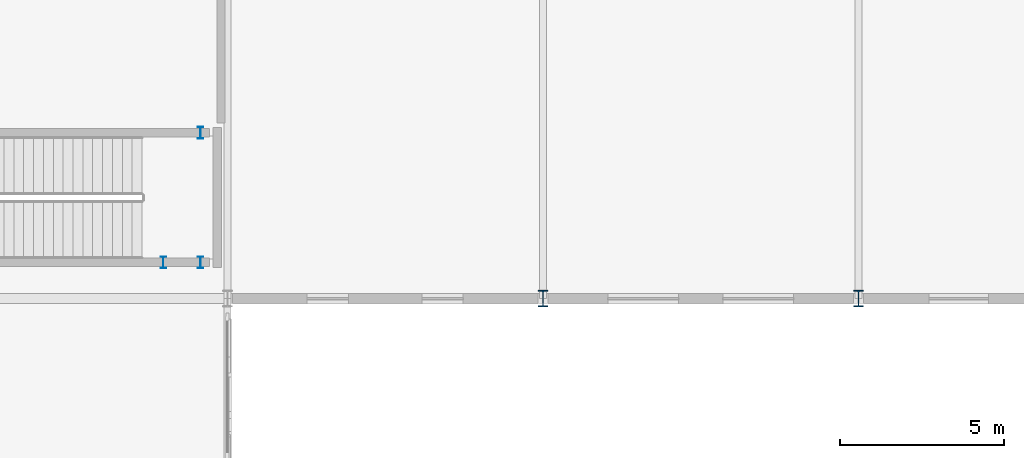
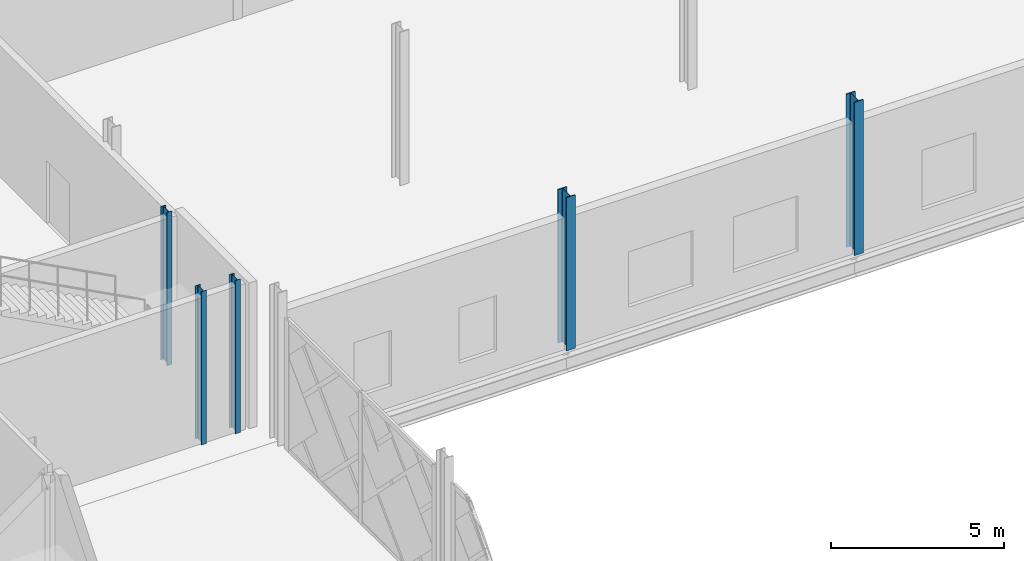
# One storey, part 15 of 84: 5 columns.
"""IFC4 building model written with IfcOpenShell, lengths in metres."""

import ifcopenshell
import ifcopenshell.guid

model = None  # the IFC model being written
_history = None  # IfcOwnerHistory: only IFC2X3 demands one
_inside = {}  # id of a spatial element -> (the spatial element, [elements in it])
_under = {}  # id of a project, library or spatial element -> (it, [spatial elements below it])
_declared = {}  # id of a project -> (the project, [libraries it declares])
_typed = {}  # id of a type object -> (the type object, [elements of that type])
_made_of = {}  # id of a material, layer set ... -> (it, [elements and type objects made of it])


def new_model(schema):
    """Start an empty IFC model of exactly this schema.

    Asked for "IFC4X3", IfcOpenShell would pick the latest addendum, in which some entities
    have other attributes; the version numbers below select the first issue.
    IFC2X3 requires an IfcOwnerHistory on every rooted entity: one is made here for all.
    """
    global model, _history
    if schema == "IFC4X3":
        model = ifcopenshell.file(schema_version=(4, 3, 0, 0))
    else:
        model = ifcopenshell.file(schema=schema)
    _inside.clear()
    _under.clear()
    _declared.clear()
    _typed.clear()
    _made_of.clear()
    _history = None
    if model.schema == "IFC2X3":
        org = make("IfcOrganization", Name="unknown")
        user = make(
            "IfcPersonAndOrganization",
            ThePerson=make("IfcPerson", FamilyName="unknown"),
            TheOrganization=org,
        )
        app = make(
            "IfcApplication",
            ApplicationDeveloper=org,
            Version="unknown",
            ApplicationFullName="unknown",
            ApplicationIdentifier="unknown",
        )
        _history = make(
            "IfcOwnerHistory",
            OwningUser=user,
            OwningApplication=app,
            ChangeAction="ADDED",
            CreationDate=0,
        )
    return model


def make(cls, **values):
    """One entity of the class cls with the attributes given. An attribute that is None is left unset."""
    return model.create_entity(
        cls, **{name: value for name, value in values.items() if value is not None}
    )


def rooted(cls, **values):
    """An entity with a GlobalId (a new one), such as an element, a storey or a relation."""
    return make(cls, GlobalId=ifcopenshell.guid.new(), OwnerHistory=_history, **values)


def si_unit(unit_type, name, prefix=None):
    """IfcSIUnit, for example si_unit("LENGTHUNIT", "METRE", prefix="MILLI")."""
    return make("IfcSIUnit", UnitType=unit_type, Prefix=prefix, Name=name)


def assignment(units):
    """IfcUnitAssignment: the units of a project."""
    return None if units is None else make("IfcUnitAssignment", Units=units)


def point(xyz):
    """IfcCartesianPoint."""
    return None if xyz is None else make("IfcCartesianPoint", Coordinates=xyz)


def direction(xyz):
    """IfcDirection."""
    return None if xyz is None else make("IfcDirection", DirectionRatios=xyz)


def frame(location, z_axis=None, x_axis=None):
    """IfcAxis2Placement3D, a coordinate frame: its origin and axes. An axis left out is left unset."""
    return make(
        "IfcAxis2Placement3D",
        Location=point(location),
        Axis=direction(z_axis),
        RefDirection=direction(x_axis),
    )


def frame_2d(location, x_axis=None):
    """IfcAxis2Placement2D, a coordinate frame in the plane: its origin and x axis."""
    return make(
        "IfcAxis2Placement2D", Location=point(location), RefDirection=direction(x_axis)
    )


def origin():
    """The frame at (0, 0, 0) with its axes left unset."""
    return frame((0.0, 0.0, 0.0))


def origin_2d():
    """The frame at (0, 0) in the plane with its x axis left unset."""
    return frame_2d((0.0, 0.0))


def place(relative_to, where):
    """IfcLocalPlacement: puts the frame where relative to a parent placement (None: the world)."""
    return make(
        "IfcLocalPlacement", PlacementRelTo=relative_to, RelativePlacement=where
    )


def context(
    kind, dimensions, precision=None, world=None, true_north=None, identifier=None
):
    """IfcGeometricRepresentationContext, for example the 3D "Model" context."""
    return make(
        "IfcGeometricRepresentationContext",
        ContextIdentifier=identifier,
        ContextType=kind,
        CoordinateSpaceDimension=dimensions,
        Precision=precision,
        WorldCoordinateSystem=world,
        TrueNorth=true_north,
    )


def subcontext(parent, identifier, kind, view, scale=None):
    """IfcGeometricRepresentationSubContext, for example "Body" below "Model"."""
    return make(
        "IfcGeometricRepresentationSubContext",
        ContextIdentifier=identifier,
        ContextType=kind,
        ParentContext=parent,
        TargetScale=scale,
        TargetView=view,
    )


def project(units=None, contexts=None):
    """IfcProject with its units and contexts."""
    return rooted(
        "IfcProject",
        Name="project",
        RepresentationContexts=contexts,
        UnitsInContext=assignment(units),
    )


def spatial(cls, under=None, at=None, **own):
    """A site, building, storey or space (cls), placed at a placement, below another one or the project."""
    s = rooted(cls, ObjectPlacement=at, **own)
    if under is not None:
        _under.setdefault(under.id(), (under, []))[1].append(s)
    return s


def profile(cls, at=None, kind="AREA", **sizes):
    """A parametric profile (cls). Its sizes go by their IFC names, for example OverallWidth=200.0."""
    return make(cls, ProfileType=kind, Position=at, **sizes)


def i_section(**sizes):
    """IfcIShapeProfileDef."""
    return profile("IfcIShapeProfileDef", **sizes)


def extrude(swept, where, along, depth):
    """IfcExtrudedAreaSolid: the profile swept, set in the frame where, extruded along a direction by depth."""
    return make(
        "IfcExtrudedAreaSolid",
        SweptArea=swept,
        Position=where,
        ExtrudedDirection=direction(along),
        Depth=depth,
    )


def shape(context_of_items, identifier, shape_type, items):
    """IfcShapeRepresentation: the items that make up one representation, for example the "Body"."""
    return make(
        "IfcShapeRepresentation",
        ContextOfItems=context_of_items,
        RepresentationIdentifier=identifier,
        RepresentationType=shape_type,
        Items=items,
    )


def material(Name=None, Category=None):
    """IfcMaterial."""
    return make("IfcMaterial", Name=Name, Category=Category)


def material_profile(
    of_material, cross_section, Name=None, Category=None, Priority=None
):
    """IfcMaterialProfile: a cross section and its material."""
    return make(
        "IfcMaterialProfile",
        Name=Name,
        Material=of_material,
        Profile=cross_section,
        Priority=Priority,
        Category=Category,
    )


def profile_set(profiles, Name=None, composite=None):
    """IfcMaterialProfileSet."""
    return make(
        "IfcMaterialProfileSet",
        Name=Name,
        MaterialProfiles=profiles,
        CompositeProfile=composite,
    )


def made_of(thing, what):
    """Note that an element or type object is made of a material, layer set ...; save() writes the relation."""
    if what is not None:
        _made_of.setdefault(what.id(), (what, []))[1].append(thing)
    return thing


def type_object(cls, material=None, **own):
    """A type object (cls), such as IfcWallType, which elements share."""
    return made_of(rooted(cls, **own), material)


def element(
    cls,
    number,
    at=None,
    inside=None,
    cuts=None,
    type_object=None,
    material=None,
    context=None,
    identifier="Body",
    shape_type=None,
    held_by="IfcProductDefinitionShape",
    body=None,
    shapes=None,
    **own,
):
    """One element of the class cls, such as IfcWall. Its Tag is "e" and its number.

    at: its placement. inside: the storey or other place that contains it. cuts: it is an
    opening in that element (IfcRelVoidsElement). A single representation is given by context,
    identifier, shape_type and body (its items); several are given by shapes. held_by: the class
    of the entity that holds the representations. save() writes the other relations.
    """
    e = rooted(cls, Tag="e%d" % number, ObjectPlacement=at, **own)
    if body is not None:
        shapes = [shape(context, identifier, shape_type, body)]
    if shapes is not None:
        e.Representation = make(held_by, Representations=shapes)
    if inside is not None:
        _inside.setdefault(inside.id(), (inside, []))[1].append(e)
    if cuts is not None:
        rooted(
            "IfcRelVoidsElement", RelatingBuildingElement=cuts, RelatedOpeningElement=e
        )
    if type_object is not None:
        _typed.setdefault(type_object.id(), (type_object, []))[1].append(e)
    return made_of(e, material)


def aggregate(whole, parts):
    """IfcRelAggregates: a whole, such as a stair, and the parts it consists of."""
    return rooted("IfcRelAggregates", RelatingObject=whole, RelatedObjects=parts)


def save(model, path):
    """Write the relations noted so far, then the file.

    IfcRelAggregates (storeys below a building ...), IfcRelContainedInSpatialStructure (elements
    in a storey), IfcRelDefinesByType, IfcRelAssociatesMaterial and IfcRelDeclares: one each for
    every whole, place, type object, material and project.
    """
    for whole, parts in _under.values():
        aggregate(whole, parts)
    for where, things in _inside.values():
        rooted(
            "IfcRelContainedInSpatialStructure",
            RelatedElements=things,
            RelatingStructure=where,
        )
    for kind, things in _typed.values():
        rooted("IfcRelDefinesByType", RelatedObjects=things, RelatingType=kind)
    for what, things in _made_of.values():
        rooted("IfcRelAssociatesMaterial", RelatedObjects=things, RelatingMaterial=what)
    for by, libraries in _declared.values():
        rooted("IfcRelDeclares", RelatingContext=by, RelatedDefinitions=libraries)
    model.write(path)


model = new_model("IFC4")

# Units and contexts
model_context = context("Model", 3, precision=1e-05, world=origin(), true_north=direction((0.0, 1.0)))
body_context = subcontext(model_context, "Body", "Model", "MODEL_VIEW")
ifc_project = project(units=[si_unit("LENGTHUNIT", "METRE"), si_unit("AREAUNIT", "SQUARE_METRE"), si_unit("VOLUMEUNIT", "CUBIC_METRE"), si_unit("PLANEANGLEUNIT", "RADIAN"), si_unit("MASSUNIT", "GRAM", prefix="KILO")], contexts=[model_context])

# Site, building, storey
site_placement = place(None, origin())
site = spatial("IfcSite", under=ifc_project, at=site_placement, CompositionType="ELEMENT")
building_placement = place(site_placement, origin())
building = spatial("IfcBuilding", under=site, at=building_placement, Name="Zevrakil Square Congress Hotel", CompositionType="ELEMENT")
storey_placement = place(building_placement, origin())
storey = spatial("IfcBuildingStorey", under=building, at=storey_placement, Name="L01", CompositionType="ELEMENT", Elevation=0.0)

# Columns
ifc_material_1 = material(Name="Steel S355", Category="steel")
ifc_material_profile_1 = material_profile(ifc_material_1, i_section(OverallWidth=0.300048828125, OverallDepth=0.5, WebThickness=0.014404296875, FlangeThickness=0.028076171875, FilletRadius=0.027099609375, at=origin_2d()), Name="HEB 500")
ifc_profile_set_1 = profile_set([ifc_material_profile_1], Name="Steel S355")
column_type_1 = type_object("IfcColumnType", Name="COL-HEB500", PredefinedType="COLUMN", material=ifc_profile_set_1)
for number, where, z_axis, x_axis, name in (
    (1, (74.39990234375, 84.0, 0.0), (0.0, 0.0, 1.0), (1.0, 0.0, 0.0), "L01 column C-120"),
    (2, (84.0, 84.0, 0.0), (0.0, 0.0, 1.0), (1.0, 0.0, 0.0), "L01 column C-132"),
):
    element("IfcColumn", number, at=place(storey_placement, frame(where, z_axis=z_axis, x_axis=x_axis)), inside=storey, type_object=column_type_1, Name=name, PredefinedType="COLUMN", context=body_context, shape_type="SweptSolid", body=[
        extrude(i_section(OverallWidth=0.300048828125, OverallDepth=0.5, WebThickness=0.014404296875, FlangeThickness=0.028076171875, FilletRadius=0.027099609375, at=origin_2d()), origin(), (0.0, 0.0, 1.0), 5.39990234375),
    ])
ifc_material_2 = material(Name="Steel S355", Category="steel")
ifc_material_profile_2 = material_profile(ifc_material_2, i_section(OverallWidth=0.169921875, OverallDepth=0.360107421875, WebThickness=0.008056640625, FlangeThickness=0.0126953125, FilletRadius=0.01806640625, at=origin_2d()), Name="IPE 360")
ifc_profile_set_2 = profile_set([ifc_material_profile_2], Name="Steel S355")
column_type_2 = type_object("IfcColumnType", Name="COL-PILASTER-SHS180", PredefinedType="PILASTER", material=ifc_profile_set_2)
for number, where, z_axis, x_axis, name in (
    (3, (62.85009765625, 85.10009765625, 0.0), (0.0, 0.0, 1.0), (1.0, 0.0, 0.0), "L01 ST05 stair shaft post 1"),
    (4, (63.97998046875, 85.10009765625, 0.0), (0.0, 0.0, 1.0), (1.0, 0.0, 0.0), "L01 ST05 stair shaft post 2"),
    (5, (63.97998046875, 89.050048828125, 0.0), (0.0, 0.0, 1.0), (1.0, 0.0, 0.0), "L01 ST05 stair shaft post 3"),
):
    element("IfcColumn", number, at=place(storey_placement, frame(where, z_axis=z_axis, x_axis=x_axis)), inside=storey, type_object=column_type_2, Name=name, PredefinedType="PILASTER", context=body_context, shape_type="SweptSolid", body=[
        extrude(i_section(OverallWidth=0.169921875, OverallDepth=0.360107421875, WebThickness=0.008056640625, FlangeThickness=0.0126953125, FilletRadius=0.01806640625, at=origin_2d()), origin(), (0.0, 0.0, 1.0), 5.39990234375),
    ])

save(model, "model.ifc")
